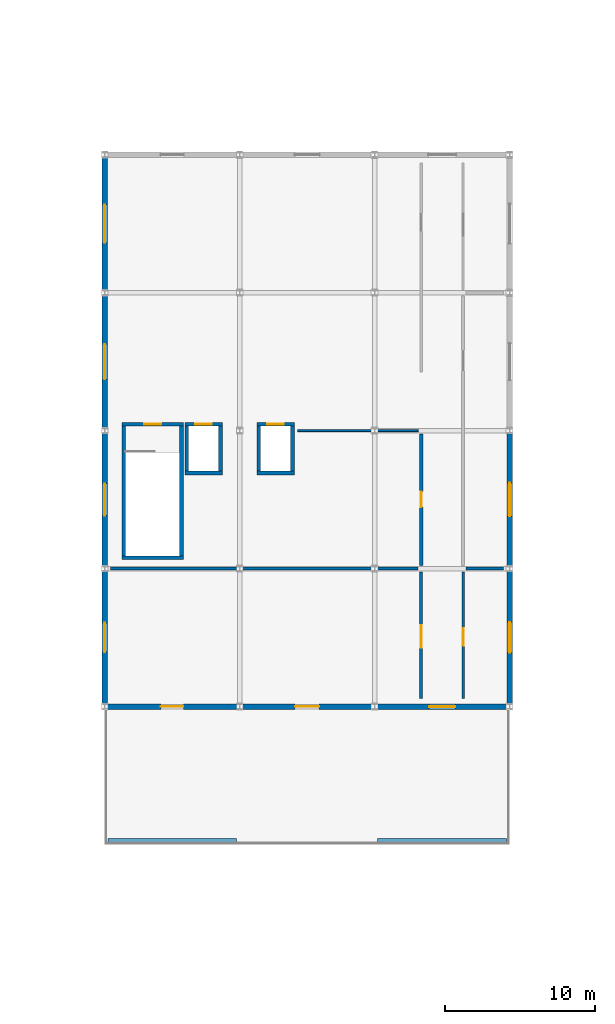
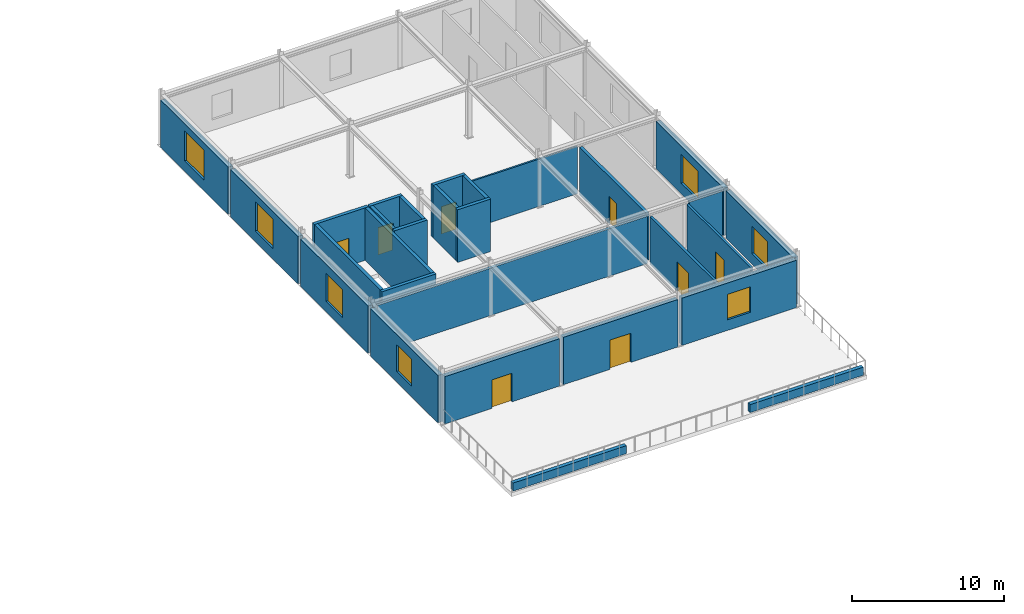
# One storey, part 28 of 33: 29 walls, 8 doors, 7 windows, 15 openings.
"""IFC4 building model written with IfcOpenShell, lengths in metres."""

from ifc_helpers import new_model, si_unit, direction, frame, frame_2d, origin, place, context, subcontext, project, spatial, rectangle, extrude, material, layer, layer_set, type_object, element, fill, save


model = new_model("IFC4")

# Units and contexts
model_context = context("Model", 3, precision=1e-05, world=origin(), true_north=direction((0.0, 1.0)))
body_context = subcontext(model_context, "Body", "Model", "MODEL_VIEW")
ifc_project = project(units=[si_unit("LENGTHUNIT", "METRE"), si_unit("AREAUNIT", "SQUARE_METRE"), si_unit("VOLUMEUNIT", "CUBIC_METRE"), si_unit("PLANEANGLEUNIT", "RADIAN"), si_unit("MASSUNIT", "GRAM", prefix="KILO")], contexts=[model_context])

# Site, building, storey
site_placement = place(None, origin())
site = spatial("IfcSite", under=ifc_project, at=site_placement, CompositionType="ELEMENT")
building_placement = place(site_placement, origin())
building = spatial("IfcBuilding", under=site, at=building_placement, Name="Bozkorgan Art Gallery", CompositionType="ELEMENT")
storey_placement = place(building_placement, frame((0.0, 0.0, 19.5)))
storey = spatial("IfcBuildingStorey", under=building, at=storey_placement, Name="L04", CompositionType="ELEMENT", Elevation=19.5)

# Wall, opening, door
ifc_material_1 = material(Name="Concrete C40/50", Category="concrete")
ifc_layer_1 = layer(ifc_material_1, 0.25, Name="Concrete C40/50")
ifc_layer_set_1 = layer_set([ifc_layer_1], Name="Concrete C40/50")
wall_type_1 = type_object("IfcWallType", Name="IWALL-CW-51", PredefinedType="SHEAR", material=ifc_layer_set_1)
wall_1_placement = place(storey_placement, frame((75.14990234375, 66.425048828125, 0.0), z_axis=(0.0, 0.0, 1.0), x_axis=(1.0, 0.0, 0.0)))
wall_1 = element("IfcWall", 1, at=wall_1_placement, inside=storey, type_object=wall_type_1, Name="CORE2 L04 stair core north shear wall", PredefinedType="SHEAR", context=body_context, shape_type="SweptSolid", body=[
    extrude(rectangle(XDim=4.10009765625, YDim=0.25, at=frame_2d((2.050048828125, 0.0))), origin(), (0.0, 0.0, 1.0), 4.219970703125),
])
opening_1_placement = place(wall_1_placement, frame((2.625, 0.0, 0.0), z_axis=(0.0, 0.0, 1.0), x_axis=(-1.0, 0.0, 0.0)))
opening_1 = element("IfcOpeningElement", 2, at=opening_1_placement, cuts=wall_1, Name="Opening SD-41", PredefinedType="OPENING", context=body_context, shape_type="SweptSolid", body=[
    extrude(rectangle(XDim=1.14990234375, YDim=2.199951171875, at=frame_2d((0.574951171875, 1.10009765625))), frame((0.0, 0.135009765625, 0.0), z_axis=(0.0, -1.0, 0.0), x_axis=(1.0, 0.0, 0.0)), (0.0, 0.0, 1.0), 0.27001953125),
])
ifc_material_2 = material(Name="Steel S355J2", Category="steel")
door_type_1 = type_object("IfcDoorType", Name="IDOOR-SD-41", OperationType="NOTDEFINED", PredefinedType="DOOR", material=ifc_material_2)
door_1_placement = place(opening_1_placement, origin())
door_1 = element("IfcDoor", 3, at=door_1_placement, inside=storey, type_object=door_type_1, Name="ST2 L04 Fire Stair Door", OperationType="SINGLE_SWING_RIGHT", OverallHeight=2.199951171875, OverallWidth=1.14990234375, PredefinedType="DOOR", context=body_context, shape_type="SweptSolid", body=[
    extrude(rectangle(XDim=1.14990234375, YDim=2.199951171875, at=frame_2d((0.574951171875, 1.10009765625))), frame((0.0, 0.02490234375, 0.0), z_axis=(0.0, -1.0, 0.0), x_axis=(1.0, 0.0, 0.0)), (0.0, 0.0, 1.0), 0.050048828125),
])
fill(opening_1, door_1)

# Walls
wall_2_placement = place(storey_placement, frame((75.14990234375, 57.52490234375, 0.0), z_axis=(0.0, 0.0, 1.0), x_axis=(1.0, 0.0, 0.0)))
element("IfcWall", 4, at=wall_2_placement, inside=storey, type_object=wall_type_1, Name="CORE2 L04 stair core S shear wall", PredefinedType="SHEAR", context=body_context, shape_type="SweptSolid", body=[
    extrude(rectangle(XDim=4.10009765625, YDim=0.25, at=frame_2d((2.050048828125, 0.0))), origin(), (0.0, 0.0, 1.0), 4.219970703125),
])
for number, where, z_axis, x_axis, name in (
    (5, (75.27490234375, 57.64990234375, 0.0), (0.0, 0.0, 1.0), (0.0, 1.0, 0.0), "CORE2 L04 stair core W shear wall"),
    (6, (79.125, 57.64990234375, 0.0), (0.0, 0.0, 1.0), (0.0, 1.0, 0.0), "CORE2 L04 stair core E shear wall"),
):
    element("IfcWall", number, at=place(storey_placement, frame(where, z_axis=z_axis, x_axis=x_axis)), inside=storey, type_object=wall_type_1, Name=name, PredefinedType="SHEAR", context=body_context, shape_type="SweptSolid", body=[
        extrude(rectangle(XDim=8.650146484375, YDim=0.25, at=frame_2d((4.3251953125, 0.0))), origin(), (0.0, 0.0, 1.0), 4.219970703125),
    ])

# Wall, opening, door
wall_3_placement = place(storey_placement, frame((79.35009765625, 66.425048828125, 0.0), z_axis=(0.0, 0.0, 1.0), x_axis=(1.0, 0.0, 0.0)))
wall_3 = element("IfcWall", 7, at=wall_3_placement, inside=storey, type_object=wall_type_1, Name="PL2 L04 shaft front shear wall", PredefinedType="SHEAR", context=body_context, shape_type="SweptSolid", body=[
    extrude(rectangle(XDim=2.5, YDim=0.25, at=frame_2d((1.25, 0.0))), origin(), (0.0, 0.0, 1.0), 4.219970703125),
])
opening_2_placement = place(wall_3_placement, frame((0.699951171875, 0.0, 0.0)))
opening_2 = element("IfcOpeningElement", 8, at=opening_2_placement, cuts=wall_3, Name="Opening LD-25", PredefinedType="OPENING", context=body_context, shape_type="SweptSolid", body=[
    extrude(rectangle(XDim=1.10009765625, YDim=2.199951171875, at=frame_2d((0.550048828125, 1.10009765625))), frame((0.0, 0.135009765625, 0.0), z_axis=(0.0, -1.0, 0.0), x_axis=(1.0, 0.0, 0.0)), (0.0, 0.0, 1.0), 0.27001953125),
])
door_type_2 = type_object("IfcDoorType", Name="IDOOR-LD-25", OperationType="NOTDEFINED", PredefinedType="DOOR", material=ifc_material_2)
door_2_placement = place(opening_2_placement, origin())
door_2 = element("IfcDoor", 9, at=door_2_placement, inside=storey, type_object=door_type_2, Name="LD-PL2-L04 Lift Landing Door", OperationType="SLIDING_TO_LEFT", OverallHeight=2.199951171875, OverallWidth=1.10009765625, PredefinedType="DOOR", context=body_context, shape_type="SweptSolid", body=[
    extrude(rectangle(XDim=1.10009765625, YDim=2.199951171875, at=frame_2d((0.550048828125, 1.10009765625))), frame((0.0, 0.02490234375, 0.0), z_axis=(0.0, -1.0, 0.0), x_axis=(1.0, 0.0, 0.0)), (0.0, 0.0, 1.0), 0.050048828125),
])
fill(opening_2, door_2)

# Walls
wall_4_placement = place(storey_placement, frame((79.35009765625, 63.175048828125, 0.0), z_axis=(0.0, 0.0, 1.0), x_axis=(1.0, 0.0, 0.0)))
element("IfcWall", 10, at=wall_4_placement, inside=storey, type_object=wall_type_1, Name="PL2 L04 shaft S shear wall", PredefinedType="SHEAR", context=body_context, shape_type="SweptSolid", body=[
    extrude(rectangle(XDim=2.5, YDim=0.25, at=frame_2d((1.25, 0.0))), origin(), (0.0, 0.0, 1.0), 4.219970703125),
])
for number, where, z_axis, x_axis, name in (
    (11, (81.72509765625, 63.300048828125, 0.0), (0.0, 0.0, 1.0), (0.0, 1.0, 0.0), "PL2 L04 shaft E shear wall"),
    (12, (79.47509765625, 63.300048828125, 0.0), (0.0, 0.0, 1.0), (0.0, 1.0, 0.0), "PL2 L04 shaft W shear wall"),
):
    element("IfcWall", number, at=place(storey_placement, frame(where, z_axis=z_axis, x_axis=x_axis)), inside=storey, type_object=wall_type_1, Name=name, PredefinedType="SHEAR", context=body_context, shape_type="SweptSolid", body=[
        extrude(rectangle(XDim=3.0, YDim=0.25, at=frame_2d((1.5, 0.0))), origin(), (0.0, 0.0, 1.0), 4.219970703125),
    ])

# Wall, opening, door
wall_5_placement = place(storey_placement, frame((84.14990234375, 66.425048828125, 0.0), z_axis=(0.0, 0.0, 1.0), x_axis=(1.0, 0.0, 0.0)))
wall_5 = element("IfcWall", 13, at=wall_5_placement, inside=storey, type_object=wall_type_1, Name="PL3 L04 shaft front shear wall", PredefinedType="SHEAR", context=body_context, shape_type="SweptSolid", body=[
    extrude(rectangle(XDim=2.5, YDim=0.25, at=frame_2d((1.25, 0.0))), origin(), (0.0, 0.0, 1.0), 4.219970703125),
])
opening_3_placement = place(wall_5_placement, frame((0.699951171875, 0.0, 0.0)))
opening_3 = element("IfcOpeningElement", 14, at=opening_3_placement, cuts=wall_5, Name="Opening LD-75", PredefinedType="OPENING", context=body_context, shape_type="SweptSolid", body=[
    extrude(rectangle(XDim=1.10009765625, YDim=2.199951171875, at=frame_2d((0.550048828125, 1.10009765625))), frame((0.0, 0.135009765625, 0.0), z_axis=(0.0, -1.0, 0.0), x_axis=(1.0, 0.0, 0.0)), (0.0, 0.0, 1.0), 0.27001953125),
])
door_type_3 = type_object("IfcDoorType", Name="IDOOR-LD-75", OperationType="NOTDEFINED", PredefinedType="DOOR", material=ifc_material_2)
door_3_placement = place(opening_3_placement, origin())
door_3 = element("IfcDoor", 15, at=door_3_placement, inside=storey, type_object=door_type_3, Name="LD-PL3-L04 Lift Landing Door", OperationType="SLIDING_TO_RIGHT", OverallHeight=2.199951171875, OverallWidth=1.10009765625, PredefinedType="DOOR", context=body_context, shape_type="SweptSolid", body=[
    extrude(rectangle(XDim=1.10009765625, YDim=2.199951171875, at=frame_2d((0.550048828125, 1.10009765625))), frame((0.0, 0.02490234375, 0.0), z_axis=(0.0, -1.0, 0.0), x_axis=(1.0, 0.0, 0.0)), (0.0, 0.0, 1.0), 0.050048828125),
])
fill(opening_3, door_3)

# Walls
wall_6_placement = place(storey_placement, frame((84.14990234375, 63.175048828125, 0.0), z_axis=(0.0, 0.0, 1.0), x_axis=(1.0, 0.0, 0.0)))
element("IfcWall", 16, at=wall_6_placement, inside=storey, type_object=wall_type_1, Name="PL3 L04 shaft S shear wall", PredefinedType="SHEAR", context=body_context, shape_type="SweptSolid", body=[
    extrude(rectangle(XDim=2.5, YDim=0.25, at=frame_2d((1.25, 0.0))), origin(), (0.0, 0.0, 1.0), 4.219970703125),
])
for number, where, z_axis, x_axis, name in (
    (17, (86.52490234375, 63.300048828125, 0.0), (0.0, 0.0, 1.0), (0.0, 1.0, 0.0), "PL3 L04 shaft E shear wall"),
    (18, (84.27490234375, 63.300048828125, 0.0), (0.0, 0.0, 1.0), (0.0, 1.0, 0.0), "PL3 L04 shaft W shear wall"),
):
    element("IfcWall", number, at=place(storey_placement, frame(where, z_axis=z_axis, x_axis=x_axis)), inside=storey, type_object=wall_type_1, Name=name, PredefinedType="SHEAR", context=body_context, shape_type="SweptSolid", body=[
        extrude(rectangle(XDim=3.0, YDim=0.25, at=frame_2d((1.5, 0.0))), origin(), (0.0, 0.0, 1.0), 4.219970703125),
    ])

# Wall, opening, door
ifc_material_3 = material(Name="Acoustic Gypsum & Mineral Wool Partition")
ifc_layer_2 = layer(ifc_material_3, 0.22998046875, Name="Acoustic Gypsum & Mineral Wool Partition")
ifc_layer_set_2 = layer_set([ifc_layer_2], Name="Acoustic Gypsum & Mineral Wool Partition")
wall_type_2 = type_object("IfcWallType", Name="IWALL-PR-08", PredefinedType="PARTITIONING", material=ifc_layer_set_2)
wall_7_placement = place(storey_placement, frame((95.10009765625, 57.02001953125, 0.0), z_axis=(0.0, 0.0, 1.0), x_axis=(0.0, 1.0, 0.0)))
wall_7 = element("IfcWall", 19, at=wall_7_placement, inside=storey, type_object=wall_type_2, Name="V4 L04 acoustic partition wall 263", PredefinedType="PARTITIONING", context=body_context, shape_type="SweptSolid", body=[
    extrude(rectangle(XDim=8.760009765625, YDim=0.22998046875, at=frame_2d((4.3798828125, 0.0))), origin(), (0.0, 0.0, 1.0), 3.804931640625),
])
opening_4_placement = place(wall_7_placement, frame((4.919921875, 0.0, 0.0), z_axis=(0.0, 0.0, 1.0), x_axis=(-1.0, 0.0, 0.0)))
opening_4 = element("IfcOpeningElement", 20, at=opening_4_placement, cuts=wall_7, Name="Opening FD-96", PredefinedType="OPENING", context=body_context, shape_type="SweptSolid", body=[
    extrude(rectangle(XDim=1.0400390625, YDim=2.219970703125, at=frame_2d((0.52001953125, 1.10986328125))), frame((0.0, 0.125, 0.0), z_axis=(0.0, -1.0, 0.0), x_axis=(1.0, 0.0, 0.0)), (0.0, 0.0, 1.0), 0.25),
])
ifc_material_4 = material(Name="Oiled European Oak Joinery")
door_type_4 = type_object("IfcDoorType", Name="IDOOR-FD-96", OperationType="NOTDEFINED", PredefinedType="DOOR", material=ifc_material_4)
door_4_placement = place(opening_4_placement, origin())
door_4 = element("IfcDoor", 21, at=door_4_placement, inside=storey, type_object=door_type_4, Name="Botanical Terrace Conservatory Door", OperationType="SINGLE_SWING_LEFT", OverallHeight=2.219970703125, OverallWidth=1.0400390625, PredefinedType="DOOR", context=body_context, shape_type="SweptSolid", body=[
    extrude(rectangle(XDim=1.0400390625, YDim=2.219970703125, at=frame_2d((0.52001953125, 1.10986328125))), frame((0.0, 0.02490234375, 0.0), z_axis=(0.0, -1.0, 0.0), x_axis=(1.0, 0.0, 0.0)), (0.0, 0.0, 1.0), 0.050048828125),
])
fill(opening_4, door_4)

ifc_layer_3 = layer(ifc_material_3, 0.169921875, Name="Acoustic Gypsum & Mineral Wool Partition")
ifc_layer_set_3 = layer_set([ifc_layer_3], Name="Acoustic Gypsum & Mineral Wool Partition")
wall_type_3 = type_object("IfcWallType", Name="IWALL-PR-40", PredefinedType="PARTITIONING", material=ifc_layer_set_3)
wall_8_placement = place(storey_placement, frame((97.89990234375, 48.139892578125, 0.0), z_axis=(0.0, 0.0, 1.0), x_axis=(0.0, 1.0, 0.0)))
wall_8 = element("IfcWall", 22, at=wall_8_placement, inside=storey, type_object=wall_type_3, Name="V4 L04 acoustic partition wall 266", PredefinedType="PARTITIONING", context=body_context, shape_type="SweptSolid", body=[
    extrude(rectangle(XDim=8.440185546875, YDim=0.169921875, at=frame_2d((4.22021484375, 0.0))), origin(), (0.0, 0.0, 1.0), 3.804931640625),
])
opening_5_placement = place(wall_8_placement, frame((3.518798828125, 0.0, 0.0)))
opening_5 = element("IfcOpeningElement", 23, at=opening_5_placement, cuts=wall_8, Name="Opening FD-03", PredefinedType="OPENING", context=body_context, shape_type="SweptSolid", body=[
    extrude(rectangle(XDim=1.159912109375, YDim=2.280029296875, at=frame_2d((0.580078125, 1.14013671875))), frame((0.0, 0.094970703125, 0.0), z_axis=(0.0, -1.0, 0.0), x_axis=(1.0, 0.0, 0.0)), (0.0, 0.0, 1.0), 0.18994140625),
])
door_type_5 = type_object("IfcDoorType", Name="IDOOR-FD-03", OperationType="NOTDEFINED", PredefinedType="DOOR", material=ifc_material_4)
door_5_placement = place(opening_5_placement, origin())
door_5 = element("IfcDoor", 24, at=door_5_placement, inside=storey, type_object=door_type_5, Name="Archive Digitisation Studio Door", OperationType="SINGLE_SWING_LEFT", OverallHeight=2.280029296875, OverallWidth=1.159912109375, PredefinedType="DOOR", context=body_context, shape_type="SweptSolid", body=[
    extrude(rectangle(XDim=1.159912109375, YDim=2.280029296875, at=frame_2d((0.580078125, 1.14013671875))), frame((0.0, 0.02490234375, 0.0), z_axis=(0.0, -1.0, 0.0), x_axis=(1.0, 0.0, 0.0)), (0.0, 0.0, 1.0), 0.050048828125),
])
fill(opening_5, door_5)

ifc_layer_4 = layer(ifc_material_3, 0.18994140625, Name="Acoustic Gypsum & Mineral Wool Partition")
ifc_layer_set_4 = layer_set([ifc_layer_4], Name="Acoustic Gypsum & Mineral Wool Partition")
wall_type_4 = type_object("IfcWallType", Name="IWALL-PR-66", PredefinedType="PARTITIONING", material=ifc_layer_set_4)
wall_9_placement = place(storey_placement, frame((95.10009765625, 48.139892578125, 0.0), z_axis=(0.0, 0.0, 1.0), x_axis=(0.0, 1.0, 0.0)))
wall_9 = element("IfcWall", 25, at=wall_9_placement, inside=storey, type_object=wall_type_4, Name="V4 L04 acoustic partition wall 261", PredefinedType="PARTITIONING", context=body_context, shape_type="SweptSolid", body=[
    extrude(rectangle(XDim=8.440185546875, YDim=0.18994140625, at=frame_2d((4.22021484375, 0.0))), origin(), (0.0, 0.0, 1.0), 3.804931640625),
])
opening_6_placement = place(wall_9_placement, frame((4.86767578125, 0.0, 0.0), z_axis=(0.0, 0.0, 1.0), x_axis=(-1.0, 0.0, 0.0)))
opening_6 = element("IfcOpeningElement", 26, at=opening_6_placement, cuts=wall_9, Name="Opening GD-06", PredefinedType="OPENING", context=body_context, shape_type="SweptSolid", body=[
    extrude(rectangle(XDim=1.5, YDim=2.35009765625, at=frame_2d((0.75, 1.175048828125))), frame((0.0, 0.10498046875, 0.0), z_axis=(0.0, -1.0, 0.0), x_axis=(1.0, 0.0, 0.0)), (0.0, 0.0, 1.0), 0.2099609375),
])
door_type_6 = type_object("IfcDoorType", Name="IDOOR-GD-06", OperationType="NOTDEFINED", PredefinedType="DOOR", material=ifc_material_4)
door_6_placement = place(opening_6_placement, origin())
door_6 = element("IfcDoor", 27, at=door_6_placement, inside=storey, type_object=door_type_6, Name="Winter Sky Belvedere Gallery Door", OperationType="DOUBLE_DOOR_SINGLE_SWING", OverallHeight=2.35009765625, OverallWidth=1.5, PredefinedType="DOOR", context=body_context, shape_type="SweptSolid", body=[
    extrude(rectangle(XDim=1.5, YDim=2.35009765625, at=frame_2d((0.75, 1.175048828125))), frame((0.0, 0.02490234375, 0.0), z_axis=(0.0, -1.0, 0.0), x_axis=(1.0, 0.0, 0.0)), (0.0, 0.0, 1.0), 0.050048828125),
])
fill(opening_6, door_6)

# Walls
ifc_layer_5 = layer(ifc_material_3, 0.18994140625, Name="Acoustic Gypsum & Mineral Wool Partition")
ifc_layer_set_5 = layer_set([ifc_layer_5], Name="Acoustic Gypsum & Mineral Wool Partition")
wall_type_5 = type_object("IfcWallType", Name="IWALL-PW-23", PredefinedType="PARTITIONING", material=ifc_layer_set_5)
wall_10_placement = place(storey_placement, frame((98.10009765625, 56.800048828125, 0.0), z_axis=(0.0, 0.0, 1.0), x_axis=(1.0, 0.0, 0.0)))
element("IfcWall", 28, at=wall_10_placement, inside=storey, type_object=wall_type_5, Name="V4 L04 acoustic partition wall 267", PredefinedType="PARTITIONING", context=body_context, shape_type="SweptSolid", body=[
    extrude(rectangle(XDim=2.5, YDim=0.18994140625, at=frame_2d((1.25, 0.0))), origin(), (0.0, 0.0, 1.0), 3.804931640625),
])
ifc_layer_6 = layer(ifc_material_3, 0.2099609375, Name="Acoustic Gypsum & Mineral Wool Partition")
ifc_layer_set_6 = layer_set([ifc_layer_6], Name="Acoustic Gypsum & Mineral Wool Partition")
wall_type_6 = type_object("IfcWallType", Name="IWALL-PW-72", PredefinedType="PARTITIONING", material=ifc_layer_set_6)
wall_11_placement = place(storey_placement, frame((74.39990234375, 56.800048828125, 0.0), z_axis=(0.0, 0.0, 1.0), x_axis=(1.0, 0.0, 0.0)))
element("IfcWall", 29, at=wall_11_placement, inside=storey, type_object=wall_type_6, Name="V4 L04 acoustic partition wall 262", PredefinedType="PARTITIONING", context=body_context, shape_type="SweptSolid", body=[
    extrude(rectangle(XDim=20.5, YDim=0.2099609375, at=frame_2d((10.25, 0.0))), origin(), (0.0, 0.0, 1.0), 3.804931640625),
])
ifc_layer_7 = layer(ifc_material_3, 0.1298828125, Name="Acoustic Gypsum & Mineral Wool Partition")
ifc_layer_set_7 = layer_set([ifc_layer_7], Name="Acoustic Gypsum & Mineral Wool Partition")
wall_type_7 = type_object("IfcWallType", Name="IWALL-PW-97", PredefinedType="PARTITIONING", material=ifc_layer_set_7)
wall_12_placement = place(storey_placement, frame((86.860107421875, 66.0, 0.0), z_axis=(0.0, 0.0, 1.0), x_axis=(1.0, 0.0, 0.0)))
element("IfcWall", 30, at=wall_12_placement, inside=storey, type_object=wall_type_7, Name="V4 L04 acoustic partition wall 264", PredefinedType="PARTITIONING", context=body_context, shape_type="SweptSolid", body=[
    extrude(rectangle(XDim=8.039794921875, YDim=0.1298828125, at=frame_2d((4.02001953125, 0.0))), origin(), (0.0, 0.0, 1.0), 3.804931640625),
])
ifc_material_5 = material(Name="Kordai Rose Granite Ashlar", Category="masonry")
ifc_layer_8 = layer(ifc_material_5, 0.280029296875, Name="Kordai Rose Granite Ashlar")
ifc_layer_set_8 = layer_set([ifc_layer_8], Name="Kordai Rose Granite Ashlar")
wall_type_8 = type_object("IfcWallType", Name="WALL-PR-43", PredefinedType="PARAPET", material=ifc_layer_set_8)
for number, where, z_axis, x_axis, name in (
    (31, (74.199951171875, 38.64990234375, 0.0), (0.0, 0.0, 1.0), (1.0, 0.0, 0.0), "L04 coped stone parapet 1"),
    (32, (92.199951171875, 38.64990234375, 0.0), (0.0, 0.0, 1.0), (1.0, 0.0, 0.0), "L04 coped stone parapet 2"),
):
    element("IfcWall", number, at=place(storey_placement, frame(where, z_axis=z_axis, x_axis=x_axis)), inside=storey, type_object=wall_type_8, Name=name, PredefinedType="PARAPET", context=body_context, shape_type="SweptSolid", body=[
        extrude(rectangle(XDim=8.60009765625, YDim=0.280029296875, at=frame_2d((4.300048828125, 0.0))), origin(), (0.0, 0.0, 1.0), 0.64990234375),
    ])

# Wall, opening, door
ifc_material_6 = material(Name="Pressed Terracotta Brick Masonry", Category="masonry")
ifc_layer_9 = layer(ifc_material_6, 0.360107421875, Name="Pressed Terracotta Brick Masonry")
ifc_layer_set_9 = layer_set([ifc_layer_9], Name="Pressed Terracotta Brick Masonry")
wall_type_9 = type_object("IfcWallType", Name="WALL-WB-99", PredefinedType="STANDARD", material=ifc_layer_set_9)
wall_13_placement = place(storey_placement, frame((74.14990234375, 47.60009765625, 0.0), z_axis=(0.0, 0.0, 1.0), x_axis=(1.0, 0.0, 0.0)))
wall_13 = element("IfcWall", 33, at=wall_13_placement, inside=storey, type_object=wall_type_9, Name="V4 L04 terrace access wall (TD02)", PredefinedType="STANDARD", context=body_context, shape_type="SweptSolid", body=[
    extrude(rectangle(XDim=8.7001953125, YDim=0.360107421875, at=frame_2d((4.35009765625, 0.0))), origin(), (0.0, 0.0, 1.0), 3.804931640625),
])
opening_7_placement = place(wall_13_placement, frame((5.10009765625, 0.0, 0.0), z_axis=(0.0, 0.0, 1.0), x_axis=(-1.0, 0.0, 0.0)))
opening_7 = element("IfcOpeningElement", 34, at=opening_7_placement, cuts=wall_13, Name="Opening TD-67", PredefinedType="OPENING", context=body_context, shape_type="SweptSolid", body=[
    extrude(rectangle(XDim=1.5, YDim=2.300048828125, at=frame_2d((0.75, 1.14990234375))), frame((0.0, 0.18994140625, 0.0), z_axis=(0.0, -1.0, 0.0), x_axis=(1.0, 0.0, 0.0)), (0.0, 0.0, 1.0), 0.380126953125),
])
ifc_material_7 = material(Name="Anodised Bronze Aluminium", Category="aluminium")
door_type_7 = type_object("IfcDoorType", Name="DOOR-TD-67", OperationType="NOTDEFINED", PredefinedType="DOOR", material=ifc_material_7)
door_7_placement = place(opening_7_placement, origin())
door_7 = element("IfcDoor", 35, at=door_7_placement, inside=storey, type_object=door_type_7, Name="TD02 Sculpture Terrace Access Door", OperationType="DOUBLE_DOOR_SINGLE_SWING", OverallHeight=2.300048828125, OverallWidth=1.5, PredefinedType="DOOR", context=body_context, shape_type="SweptSolid", body=[
    extrude(rectangle(XDim=1.5, YDim=2.300048828125, at=frame_2d((0.75, 1.14990234375))), frame((0.0, 0.02490234375, 0.0), z_axis=(0.0, -1.0, 0.0), x_axis=(1.0, 0.0, 0.0)), (0.0, 0.0, 1.0), 0.050048828125),
])
fill(opening_7, door_7)

wall_14_placement = place(storey_placement, frame((83.14990234375, 47.60009765625, 0.0), z_axis=(0.0, 0.0, 1.0), x_axis=(1.0, 0.0, 0.0)))
wall_14 = element("IfcWall", 36, at=wall_14_placement, inside=storey, type_object=wall_type_9, Name="V4 L04 terrace access wall (TD01)", PredefinedType="STANDARD", context=body_context, shape_type="SweptSolid", body=[
    extrude(rectangle(XDim=8.7001953125, YDim=0.360107421875, at=frame_2d((4.35009765625, 0.0))), origin(), (0.0, 0.0, 1.0), 3.804931640625),
])
opening_8_placement = place(wall_14_placement, frame((5.150146484375, 0.0, 0.0), z_axis=(0.0, 0.0, 1.0), x_axis=(-1.0, 0.0, 0.0)))
opening_8 = element("IfcOpeningElement", 37, at=opening_8_placement, cuts=wall_14, Name="Opening TD-48", PredefinedType="OPENING", context=body_context, shape_type="SweptSolid", body=[
    extrude(rectangle(XDim=1.60009765625, YDim=2.35009765625, at=frame_2d((0.800048828125, 1.175048828125))), frame((0.0, 0.18994140625, 0.0), z_axis=(0.0, -1.0, 0.0), x_axis=(1.0, 0.0, 0.0)), (0.0, 0.0, 1.0), 0.380126953125),
])
door_type_8 = type_object("IfcDoorType", Name="DOOR-TD-48", OperationType="NOTDEFINED", PredefinedType="DOOR", material=ifc_material_7)
door_8_placement = place(opening_8_placement, origin())
door_8 = element("IfcDoor", 38, at=door_8_placement, inside=storey, type_object=door_type_8, Name="TD01 Sculpture Terrace Access Door", OperationType="DOUBLE_DOOR_SINGLE_SWING", OverallHeight=2.35009765625, OverallWidth=1.60009765625, PredefinedType="DOOR", context=body_context, shape_type="SweptSolid", body=[
    extrude(rectangle(XDim=1.60009765625, YDim=2.35009765625, at=frame_2d((0.800048828125, 1.175048828125))), frame((0.0, 0.02490234375, 0.0), z_axis=(0.0, -1.0, 0.0), x_axis=(1.0, 0.0, 0.0)), (0.0, 0.0, 1.0), 0.050048828125),
])
fill(opening_8, door_8)

# Wall, opening, window
wall_15_placement = place(storey_placement, frame((92.14990234375, 47.60009765625, 0.0), z_axis=(0.0, 0.0, 1.0), x_axis=(1.0, 0.0, 0.0)))
wall_15 = element("IfcWall", 39, at=wall_15_placement, inside=storey, type_object=wall_type_9, Name="V4 L04 exterior facade wall 1S-5", PredefinedType="STANDARD", context=body_context, shape_type="SweptSolid", body=[
    extrude(rectangle(XDim=8.7001953125, YDim=0.360107421875, at=frame_2d((4.35009765625, 0.0))), origin(), (0.0, 0.0, 1.0), 3.804931640625),
])
opening_9_placement = place(wall_15_placement, frame((5.22509765625, 0.0, 0.85009765625), z_axis=(0.0, 0.0, 1.0), x_axis=(-1.0, 0.0, 0.0)))
opening_9 = element("IfcOpeningElement", 40, at=opening_9_placement, cuts=wall_15, Name="Opening WN-98", PredefinedType="OPENING", context=body_context, shape_type="SweptSolid", body=[
    extrude(rectangle(XDim=1.75, YDim=2.050048828125, at=frame_2d((0.875, 1.02490234375))), frame((0.0, 0.18994140625, 0.0), z_axis=(0.0, -1.0, 0.0), x_axis=(1.0, 0.0, 0.0)), (0.0, 0.0, 1.0), 0.380126953125),
])
ifc_material_8 = material(Name="Triple Low-E Laminated Glass", Category="glass")
window_type_1 = type_object("IfcWindowType", Name="WIN-WN-98", PartitioningType="SINGLE_PANEL", PredefinedType="WINDOW", material=ifc_material_8)
window_1_placement = place(opening_9_placement, origin())
window_1 = element("IfcWindow", 41, at=window_1_placement, inside=storey, type_object=window_type_1, Name="V4 L04 gallery window 1S-5", OverallHeight=2.050048828125, OverallWidth=1.75, PartitioningType="SINGLE_PANEL", PredefinedType="WINDOW", context=body_context, shape_type="SweptSolid", body=[
    extrude(rectangle(XDim=1.75, YDim=2.050048828125, at=frame_2d((0.875, 1.02490234375))), frame((0.0, 0.030029296875, 0.0), z_axis=(0.0, -1.0, 0.0), x_axis=(1.0, 0.0, 0.0)), (0.0, 0.0, 1.0), 0.06005859375),
])
fill(opening_9, window_1)

wall_16_placement = place(storey_placement, frame((74.0, 47.760009765625, 0.0), z_axis=(0.0, 0.0, 1.0), x_axis=(0.0, 1.0, 0.0)))
wall_16 = element("IfcWall", 42, at=wall_16_placement, inside=storey, type_object=wall_type_9, Name="V4 L04 exterior facade wall 1W-7", PredefinedType="STANDARD", context=body_context, shape_type="SweptSolid", body=[
    extrude(rectangle(XDim=8.8798828125, YDim=0.360107421875, at=frame_2d((4.43994140625, 0.0))), origin(), (0.0, 0.0, 1.0), 3.804931640625),
])
opening_10_placement = place(wall_16_placement, frame((3.465087890625, 0.0, 0.85009765625)))
opening_10 = element("IfcOpeningElement", 43, at=opening_10_placement, cuts=wall_16, Name="Opening WN-18", PredefinedType="OPENING", context=body_context, shape_type="SweptSolid", body=[
    extrude(rectangle(XDim=1.949951171875, YDim=2.14990234375, at=frame_2d((0.97509765625, 1.074951171875))), frame((0.0, 0.18994140625, 0.0), z_axis=(0.0, -1.0, 0.0), x_axis=(1.0, 0.0, 0.0)), (0.0, 0.0, 1.0), 0.380126953125),
])
window_type_2 = type_object("IfcWindowType", Name="WIN-WN-18", PartitioningType="SINGLE_PANEL", PredefinedType="WINDOW", material=ifc_material_8)
window_2_placement = place(opening_10_placement, origin())
window_2 = element("IfcWindow", 44, at=window_2_placement, inside=storey, type_object=window_type_2, Name="V4 L04 gallery window 1W-7", OverallHeight=2.14990234375, OverallWidth=1.949951171875, PartitioningType="SINGLE_PANEL", PredefinedType="WINDOW", context=body_context, shape_type="SweptSolid", body=[
    extrude(rectangle(XDim=1.949951171875, YDim=2.14990234375, at=frame_2d((0.97509765625, 1.074951171875))), frame((0.0, 0.030029296875, 0.0), z_axis=(0.0, -1.0, 0.0), x_axis=(1.0, 0.0, 0.0)), (0.0, 0.0, 1.0), 0.06005859375),
])
fill(opening_10, window_2)

wall_17_placement = place(storey_placement, frame((101.0, 47.760009765625, 0.0), z_axis=(0.0, 0.0, 1.0), x_axis=(0.0, 1.0, 0.0)))
wall_17 = element("IfcWall", 45, at=wall_17_placement, inside=storey, type_object=wall_type_9, Name="V4 L04 exterior facade wall 1E-8", PredefinedType="STANDARD", context=body_context, shape_type="SweptSolid", body=[
    extrude(rectangle(XDim=8.8798828125, YDim=0.360107421875, at=frame_2d((4.43994140625, 0.0))), origin(), (0.0, 0.0, 1.0), 3.804931640625),
])
opening_11_placement = place(wall_17_placement, frame((5.465087890625, 0.0, 0.85009765625), z_axis=(0.0, 0.0, 1.0), x_axis=(-1.0, 0.0, 0.0)))
opening_11 = element("IfcOpeningElement", 46, at=opening_11_placement, cuts=wall_17, Name="Opening WN-39", PredefinedType="OPENING", context=body_context, shape_type="SweptSolid", body=[
    extrude(rectangle(XDim=2.050048828125, YDim=2.199951171875, at=frame_2d((1.02490234375, 1.10009765625))), frame((0.0, 0.18994140625, 0.0), z_axis=(0.0, -1.0, 0.0), x_axis=(1.0, 0.0, 0.0)), (0.0, 0.0, 1.0), 0.380126953125),
])
window_type_3 = type_object("IfcWindowType", Name="WIN-WN-39", PartitioningType="SINGLE_PANEL", PredefinedType="WINDOW", material=ifc_material_8)
window_3_placement = place(opening_11_placement, origin())
window_3 = element("IfcWindow", 47, at=window_3_placement, inside=storey, type_object=window_type_3, Name="V4 L04 gallery window 1E-8", OverallHeight=2.199951171875, OverallWidth=2.050048828125, PartitioningType="SINGLE_PANEL", PredefinedType="WINDOW", context=body_context, shape_type="SweptSolid", body=[
    extrude(rectangle(XDim=2.050048828125, YDim=2.199951171875, at=frame_2d((1.02490234375, 1.10009765625))), frame((0.0, 0.030029296875, 0.0), z_axis=(0.0, -1.0, 0.0), x_axis=(1.0, 0.0, 0.0)), (0.0, 0.0, 1.0), 0.06005859375),
])
fill(opening_11, window_3)

wall_18_placement = place(storey_placement, frame((74.0, 56.9599609375, 0.0), z_axis=(0.0, 0.0, 1.0), x_axis=(0.0, 1.0, 0.0)))
wall_18 = element("IfcWall", 48, at=wall_18_placement, inside=storey, type_object=wall_type_9, Name="V4 L04 exterior facade wall 1W-9", PredefinedType="STANDARD", context=body_context, shape_type="SweptSolid", body=[
    extrude(rectangle(XDim=8.880126953125, YDim=0.360107421875, at=frame_2d((4.43994140625, 0.0))), origin(), (0.0, 0.0, 1.0), 3.804931640625),
])
opening_12_placement = place(wall_18_placement, frame((3.364990234375, 0.0, 0.85009765625)))
opening_12 = element("IfcOpeningElement", 49, at=opening_12_placement, cuts=wall_18, Name="Opening WN-56", PredefinedType="OPENING", context=body_context, shape_type="SweptSolid", body=[
    extrude(rectangle(XDim=2.14990234375, YDim=2.25, at=frame_2d((1.074951171875, 1.125))), frame((0.0, 0.18994140625, 0.0), z_axis=(0.0, -1.0, 0.0), x_axis=(1.0, 0.0, 0.0)), (0.0, 0.0, 1.0), 0.380126953125),
])
window_type_4 = type_object("IfcWindowType", Name="WIN-WN-56", PartitioningType="SINGLE_PANEL", PredefinedType="WINDOW", material=ifc_material_8)
window_4_placement = place(opening_12_placement, origin())
window_4 = element("IfcWindow", 50, at=window_4_placement, inside=storey, type_object=window_type_4, Name="V4 L04 gallery window 1W-9", OverallHeight=2.25, OverallWidth=2.14990234375, PartitioningType="SINGLE_PANEL", PredefinedType="WINDOW", context=body_context, shape_type="SweptSolid", body=[
    extrude(rectangle(XDim=2.14990234375, YDim=2.25, at=frame_2d((1.074951171875, 1.125))), frame((0.0, 0.030029296875, 0.0), z_axis=(0.0, -1.0, 0.0), x_axis=(1.0, 0.0, 0.0)), (0.0, 0.0, 1.0), 0.06005859375),
])
fill(opening_12, window_4)

wall_19_placement = place(storey_placement, frame((101.0, 56.9599609375, 0.0), z_axis=(0.0, 0.0, 1.0), x_axis=(0.0, 1.0, 0.0)))
wall_19 = element("IfcWall", 51, at=wall_19_placement, inside=storey, type_object=wall_type_9, Name="V4 L04 exterior facade wall 1E-10", PredefinedType="STANDARD", context=body_context, shape_type="SweptSolid", body=[
    extrude(rectangle(XDim=8.880126953125, YDim=0.360107421875, at=frame_2d((4.43994140625, 0.0))), origin(), (0.0, 0.0, 1.0), 3.804931640625),
])
opening_13_placement = place(wall_19_placement, frame((5.56494140625, 0.0, 0.85009765625), z_axis=(0.0, 0.0, 1.0), x_axis=(-1.0, 0.0, 0.0)))
opening_13 = element("IfcOpeningElement", 52, at=opening_13_placement, cuts=wall_19, Name="Opening WN-97", PredefinedType="OPENING", context=body_context, shape_type="SweptSolid", body=[
    extrude(rectangle(XDim=2.25, YDim=2.300048828125, at=frame_2d((1.125, 1.14990234375))), frame((0.0, 0.18994140625, 0.0), z_axis=(0.0, -1.0, 0.0), x_axis=(1.0, 0.0, 0.0)), (0.0, 0.0, 1.0), 0.380126953125),
])
window_type_5 = type_object("IfcWindowType", Name="WIN-WN-97", PartitioningType="SINGLE_PANEL", PredefinedType="WINDOW", material=ifc_material_8)
window_5_placement = place(opening_13_placement, origin())
window_5 = element("IfcWindow", 53, at=window_5_placement, inside=storey, type_object=window_type_5, Name="V4 L04 gallery window 1E-10", OverallHeight=2.300048828125, OverallWidth=2.25, PartitioningType="SINGLE_PANEL", PredefinedType="WINDOW", context=body_context, shape_type="SweptSolid", body=[
    extrude(rectangle(XDim=2.25, YDim=2.300048828125, at=frame_2d((1.125, 1.14990234375))), frame((0.0, 0.030029296875, 0.0), z_axis=(0.0, -1.0, 0.0), x_axis=(1.0, 0.0, 0.0)), (0.0, 0.0, 1.0), 0.06005859375),
])
fill(opening_13, window_5)

wall_20_placement = place(storey_placement, frame((74.0, 66.159912109375, 0.0), z_axis=(0.0, 0.0, 1.0), x_axis=(0.0, 1.0, 0.0)))
wall_20 = element("IfcWall", 54, at=wall_20_placement, inside=storey, type_object=wall_type_9, Name="V4 L04 exterior facade wall 1W-11", PredefinedType="STANDARD", context=body_context, shape_type="SweptSolid", body=[
    extrude(rectangle(XDim=8.880126953125, YDim=0.360107421875, at=frame_2d((4.43994140625, 0.0))), origin(), (0.0, 0.0, 1.0), 3.804931640625),
])
opening_14_placement = place(wall_20_placement, frame((3.264892578125, 0.0, 0.85009765625)))
opening_14 = element("IfcOpeningElement", 55, at=opening_14_placement, cuts=wall_20, Name="Opening WN-47", PredefinedType="OPENING", context=body_context, shape_type="SweptSolid", body=[
    extrude(rectangle(XDim=2.35009765625, YDim=2.35009765625, at=frame_2d((1.175048828125, 1.175048828125))), frame((0.0, 0.18994140625, 0.0), z_axis=(0.0, -1.0, 0.0), x_axis=(1.0, 0.0, 0.0)), (0.0, 0.0, 1.0), 0.380126953125),
])
window_type_6 = type_object("IfcWindowType", Name="WIN-WN-47", PartitioningType="SINGLE_PANEL", PredefinedType="WINDOW", material=ifc_material_8)
window_6_placement = place(opening_14_placement, origin())
window_6 = element("IfcWindow", 56, at=window_6_placement, inside=storey, type_object=window_type_6, Name="V4 L04 gallery window 1W-11", OverallHeight=2.35009765625, OverallWidth=2.35009765625, PartitioningType="SINGLE_PANEL", PredefinedType="WINDOW", context=body_context, shape_type="SweptSolid", body=[
    extrude(rectangle(XDim=2.35009765625, YDim=2.35009765625, at=frame_2d((1.175048828125, 1.175048828125))), frame((0.0, 0.030029296875, 0.0), z_axis=(0.0, -1.0, 0.0), x_axis=(1.0, 0.0, 0.0)), (0.0, 0.0, 1.0), 0.06005859375),
])
fill(opening_14, window_6)

wall_21_placement = place(storey_placement, frame((74.0, 75.360107421875, 0.0), z_axis=(0.0, 0.0, 1.0), x_axis=(0.0, 1.0, 0.0)))
wall_21 = element("IfcWall", 57, at=wall_21_placement, inside=storey, type_object=wall_type_9, Name="V4 L04 exterior facade wall 1W-13", PredefinedType="STANDARD", context=body_context, shape_type="SweptSolid", body=[
    extrude(rectangle(XDim=8.8798828125, YDim=0.360107421875, at=frame_2d((4.43994140625, 0.0))), origin(), (0.0, 0.0, 1.0), 3.804931640625),
])
opening_15_placement = place(wall_21_placement, frame((3.1650390625, 0.0, 0.85009765625)))
opening_15 = element("IfcOpeningElement", 58, at=opening_15_placement, cuts=wall_21, Name="Opening WN-23", PredefinedType="OPENING", context=body_context, shape_type="SweptSolid", body=[
    extrude(rectangle(XDim=2.550048828125, YDim=2.39990234375, at=frame_2d((1.27490234375, 1.199951171875))), frame((0.0, 0.18994140625, 0.0), z_axis=(0.0, -1.0, 0.0), x_axis=(1.0, 0.0, 0.0)), (0.0, 0.0, 1.0), 0.380126953125),
])
window_type_7 = type_object("IfcWindowType", Name="WIN-WN-23", PartitioningType="SINGLE_PANEL", PredefinedType="WINDOW", material=ifc_material_8)
window_7_placement = place(opening_15_placement, origin())
window_7 = element("IfcWindow", 59, at=window_7_placement, inside=storey, type_object=window_type_7, Name="V4 L04 gallery window 1W-13", OverallHeight=2.39990234375, OverallWidth=2.550048828125, PartitioningType="SINGLE_PANEL", PredefinedType="WINDOW", context=body_context, shape_type="SweptSolid", body=[
    extrude(rectangle(XDim=2.550048828125, YDim=2.39990234375, at=frame_2d((1.27490234375, 1.199951171875))), frame((0.0, 0.030029296875, 0.0), z_axis=(0.0, -1.0, 0.0), x_axis=(1.0, 0.0, 0.0)), (0.0, 0.0, 1.0), 0.06005859375),
])
fill(opening_15, window_7)

save(model, "model.ifc")
